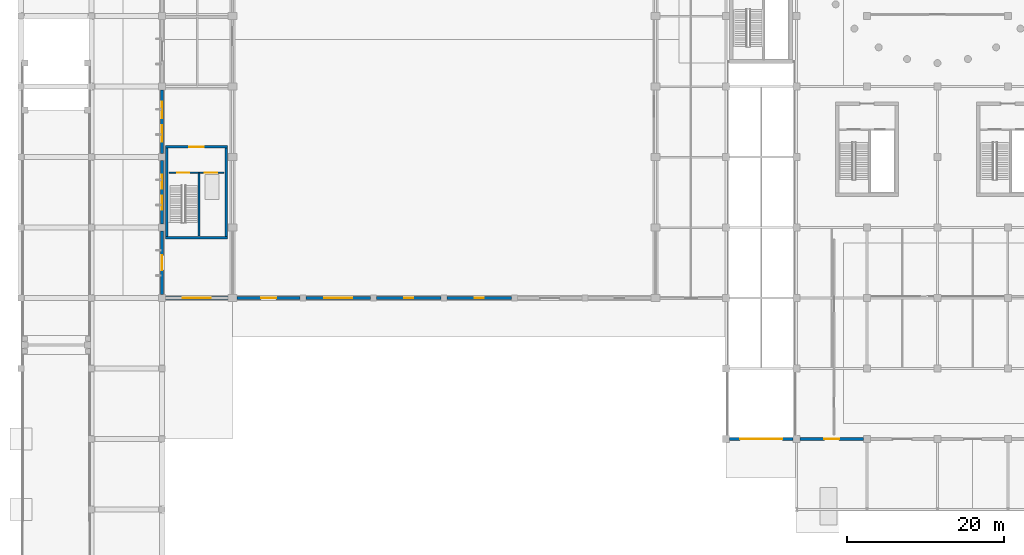
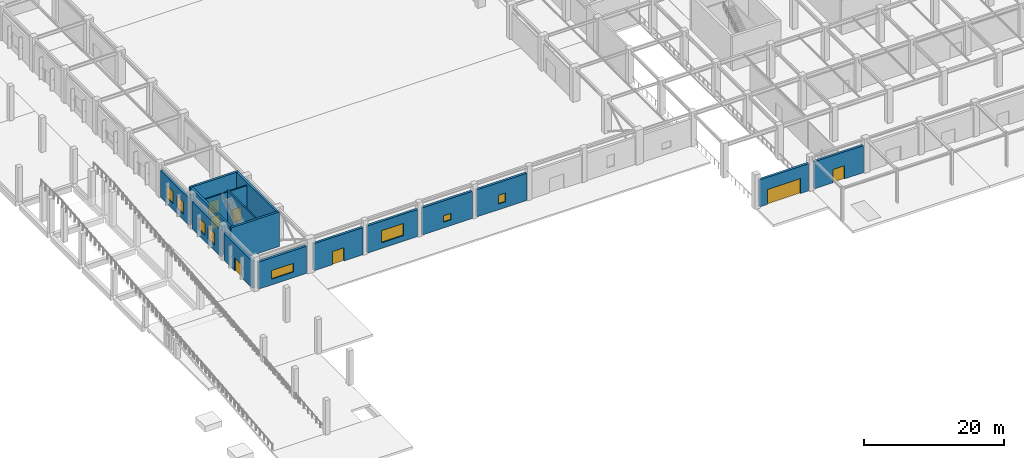
# One storey, part 60 of 91: 16 walls, 8 windows, 7 doors, 15 openings.
"""IFC4 building model written with IfcOpenShell, lengths in metres."""

from ifc_helpers import new_model, si_unit, direction, frame, frame_2d, origin, place, context, subcontext, project, spatial, rectangle, extrude, material, layer, layer_set, type_object, element, fill, save


model = new_model("IFC4")

# Units and contexts
model_context = context("Model", 3, precision=1e-05, world=origin(), true_north=direction((0.0, 1.0)))
body_context = subcontext(model_context, "Body", "Model", "MODEL_VIEW")
ifc_project = project(units=[si_unit("LENGTHUNIT", "METRE"), si_unit("AREAUNIT", "SQUARE_METRE"), si_unit("VOLUMEUNIT", "CUBIC_METRE"), si_unit("PLANEANGLEUNIT", "RADIAN"), si_unit("MASSUNIT", "GRAM", prefix="KILO")], contexts=[model_context])

# Site, building, storey
site_placement = place(None, origin())
site = spatial("IfcSite", under=ifc_project, at=site_placement, CompositionType="ELEMENT")
building_placement = place(site_placement, origin())
building = spatial("IfcBuilding", under=site, at=building_placement, Name="Dornveld Trade and Exhibition Forum", CompositionType="ELEMENT")
storey_placement = place(building_placement, origin())
storey = spatial("IfcBuildingStorey", under=building, at=storey_placement, Name="L00", CompositionType="ELEMENT", Elevation=0.0)

# Wall
ifc_material_1 = material(Name="Concrete C40/50", Category="concrete")
ifc_layer_1 = layer(ifc_material_1, 0.35009765625)
ifc_layer_set_1 = layer_set([ifc_layer_1], Name="Concrete C40/50")
wall_type_1 = type_object("IfcWallType", Name="WL-CORE-350", PredefinedType="SHEAR", material=ifc_layer_set_1)
wall_1_placement = place(storey_placement, frame((18.425048828125, 43.699951171875, 0.0), z_axis=(0.0, 0.0, 1.0), x_axis=(1.0, 0.0, 0.0)))
element("IfcWall", 1, at=wall_1_placement, inside=storey, type_object=wall_type_1, Name="CORE-09 L00 shear wall S", PredefinedType="SHEAR", context=body_context, shape_type="SweptSolid", body=[
    extrude(rectangle(XDim=7.949951171875, YDim=0.35009765625, at=frame_2d((3.97509765625, 0.0))), origin(), (0.0, 0.0, 1.0), 6.0),
])

# Wall, opening, door
wall_2_placement = place(storey_placement, frame((18.425048828125, 55.300048828125, 0.0), z_axis=(0.0, 0.0, 1.0), x_axis=(1.0, 0.0, 0.0)))
wall_2 = element("IfcWall", 2, at=wall_2_placement, inside=storey, type_object=wall_type_1, Name="CORE-09 L00 shear wall N", PredefinedType="SHEAR", context=body_context, shape_type="SweptSolid", body=[
    extrude(rectangle(XDim=7.949951171875, YDim=0.35009765625, at=frame_2d((3.97509765625, 0.0))), origin(), (0.0, 0.0, 1.0), 6.0),
])
opening_1_placement = place(wall_2_placement, frame((3.074951171875, 0.0, 0.0)))
opening_1 = element("IfcOpeningElement", 3, at=opening_1_placement, cuts=wall_2, Name="Opening CD-09-L00", PredefinedType="OPENING", context=body_context, shape_type="SweptSolid", body=[
    extrude(rectangle(XDim=1.800048828125, YDim=2.300048828125, at=frame_2d((0.89990234375, 1.14990234375))), frame((0.0, 0.18505859375, 0.0), z_axis=(0.0, -1.0, 0.0), x_axis=(1.0, 0.0, 0.0)), (0.0, 0.0, 1.0), 0.3701171875),
])
ifc_material_2 = material(Name="Steel fire-rated double door assembly", Category="steel")
door_type_1 = type_object("IfcDoorType", Name="DR-CORE-180x230", OperationType="NOTDEFINED", PredefinedType="DOOR", material=ifc_material_2)
door_1_placement = place(opening_1_placement, origin())
door_1 = element("IfcDoor", 4, at=door_1_placement, inside=storey, type_object=door_type_1, Name="CORE-09 L00 core lobby double fire door", OperationType="DOUBLE_DOOR_SINGLE_SWING", OverallHeight=2.300048828125, OverallWidth=1.800048828125, PredefinedType="DOOR", context=body_context, shape_type="SweptSolid", body=[
    extrude(rectangle(XDim=1.800048828125, YDim=2.300048828125, at=frame_2d((0.89990234375, 1.14990234375))), frame((0.0, 0.02490234375, 0.0), z_axis=(0.0, -1.0, 0.0), x_axis=(1.0, 0.0, 0.0)), (0.0, 0.0, 1.0), 0.050048828125),
])
fill(opening_1, door_1)

# Walls
for number, where, z_axis, x_axis, name in (
    (5, (18.60009765625, 43.875, 0.0), (0.0, 0.0, 1.0), (0.0, 1.0, 0.0), "CORE-09 L00 shear wall W"),
    (6, (26.199951171875, 43.875, 0.0), (0.0, 0.0, 1.0), (0.0, 1.0, 0.0), "CORE-09 L00 shear wall E"),
):
    element("IfcWall", number, at=place(storey_placement, frame(where, z_axis=z_axis, x_axis=x_axis)), inside=storey, type_object=wall_type_1, Name=name, PredefinedType="SHEAR", context=body_context, shape_type="SweptSolid", body=[
        extrude(rectangle(XDim=11.25, YDim=0.35009765625, at=frame_2d((5.625, 0.0))), origin(), (0.0, 0.0, 1.0), 6.0),
    ])

# Wall, opening, door
ifc_material_3 = material(Name="Precast concrete C50/60", Category="concrete")
ifc_layer_2 = layer(ifc_material_3, 0.3798828125)
ifc_layer_set_2 = layer_set([ifc_layer_2], Name="Precast concrete C50/60")
wall_type_2 = type_object("IfcWallType", Name="WL-EXT-PC380", PredefinedType="SOLIDWALL", material=ifc_layer_set_2)
wall_3_placement = place(storey_placement, frame((99.449462890625, 18.0, 0.0), z_axis=(0.0, 0.0, 1.0), x_axis=(1.0, 0.0, 0.0)))
wall_3 = element("IfcWall", 7, at=wall_3_placement, inside=storey, type_object=wall_type_2, Name="L00 precast facade wall 20", PredefinedType="SOLIDWALL", context=body_context, shape_type="SweptSolid", body=[
    extrude(rectangle(XDim=8.10107421875, YDim=0.3798828125, at=frame_2d((4.050537109375, 0.0))), origin(), (0.0, 0.0, 1.0), 4.719970703125),
])
opening_2_placement = place(wall_3_placement, frame((3.1005859375, 0.0, 0.0)))
opening_2 = element("IfcOpeningElement", 8, at=opening_2_placement, cuts=wall_3, Name="Opening ED-08", PredefinedType="OPENING", context=body_context, shape_type="SweptSolid", body=[
    extrude(rectangle(XDim=1.89990234375, YDim=2.300048828125, at=frame_2d((0.949951171875, 1.14990234375))), frame((0.0, 0.199951171875, 0.0), z_axis=(0.0, -1.0, 0.0), x_axis=(1.0, 0.0, 0.0)), (0.0, 0.0, 1.0), 0.39990234375),
])
ifc_material_4 = material(Name="Dark-bronze anodised aluminium and laminated safety glass", Category="aluminium")
door_type_2 = type_object("IfcDoorType", Name="DR-EXT-190x230", OperationType="NOTDEFINED", PredefinedType="DOOR", material=ifc_material_4)
door_2_placement = place(opening_2_placement, frame((1.89990234375, 0.0, 0.0), z_axis=(0.0, 0.0, 1.0), x_axis=(-1.0, 0.0, 0.0)))
door_2 = element("IfcDoor", 9, at=door_2_placement, inside=storey, type_object=door_type_2, Name="Ground final exit double door 8", OperationType="DOUBLE_DOOR_SINGLE_SWING", OverallHeight=2.300048828125, OverallWidth=1.89990234375, PredefinedType="DOOR", context=body_context, shape_type="SweptSolid", body=[
    extrude(rectangle(XDim=1.89990234375, YDim=2.300048828125, at=frame_2d((0.949951171875, 1.14990234375))), frame((0.0, 0.02490234375, 0.0), z_axis=(0.0, -1.0, 0.0), x_axis=(1.0, 0.0, 0.0)), (0.0, 0.0, 1.0), 0.050048828125),
])
fill(opening_2, door_2)

wall_4_placement = place(storey_placement, frame((90.449462890625, 18.0, 0.0), z_axis=(0.0, 0.0, 1.0), x_axis=(1.0, 0.0, 0.0)))
wall_4 = element("IfcWall", 10, at=wall_4_placement, inside=storey, type_object=wall_type_2, Name="L00 precast facade wall 25", PredefinedType="SOLIDWALL", context=body_context, shape_type="SweptSolid", body=[
    extrude(rectangle(XDim=8.10107421875, YDim=0.3798828125, at=frame_2d((4.050537109375, 0.0))), origin(), (0.0, 0.0, 1.0), 4.719970703125),
])
opening_3_placement = place(wall_4_placement, frame((1.3505859375, 0.0, 0.0)))
opening_3 = element("IfcOpeningElement", 11, at=opening_3_placement, cuts=wall_4, Name="Opening VG-02", PredefinedType="OPENING", context=body_context, shape_type="SweptSolid", body=[
    extrude(rectangle(XDim=5.39990234375, YDim=2.60009765625, at=frame_2d((2.699951171875, 1.300048828125))), frame((0.0, 0.199951171875, 0.0), z_axis=(0.0, -1.0, 0.0), x_axis=(1.0, 0.0, 0.0)), (0.0, 0.0, 1.0), 0.39990234375),
])
ifc_material_5 = material(Name="Galvanised insulated steel", Category="steel")
door_type_3 = type_object("IfcDoorType", Name="DR-GATE-540x260", OperationType="NOTDEFINED", PredefinedType="GATE", material=ifc_material_5)
door_3_placement = place(opening_3_placement, frame((5.39990234375, 0.0, 0.0), z_axis=(0.0, 0.0, 1.0), x_axis=(-1.0, 0.0, 0.0)))
door_3 = element("IfcDoor", 12, at=door_3_placement, inside=storey, type_object=door_type_3, Name="Heavy vehicle roller-shutter gate VG-02", OperationType="ROLLINGUP", OverallHeight=2.60009765625, OverallWidth=5.39990234375, PredefinedType="GATE", context=body_context, shape_type="SweptSolid", body=[
    extrude(rectangle(XDim=5.39990234375, YDim=2.60009765625, at=frame_2d((2.699951171875, 1.300048828125))), frame((0.0, 0.02490234375, 0.0), z_axis=(0.0, -1.0, 0.0), x_axis=(1.0, 0.0, 0.0)), (0.0, 0.0, 1.0), 0.050048828125),
])
fill(opening_3, door_3)

wall_5_placement = place(storey_placement, frame((18.0, 44.550537109375, 0.0), z_axis=(0.0, 0.0, 1.0), x_axis=(0.0, -1.0, 0.0)))
wall_5 = element("IfcWall", 13, at=wall_5_placement, inside=storey, type_object=wall_type_2, Name="L00 precast facade wall 36", PredefinedType="SOLIDWALL", context=body_context, shape_type="SweptSolid", body=[
    extrude(rectangle(XDim=8.10107421875, YDim=0.3798828125, at=frame_2d((4.050537109375, 0.0))), origin(), (0.0, 0.0, 1.0), 4.719970703125),
])
opening_4_placement = place(wall_5_placement, frame((3.1005859375, 0.0, 0.0)))
opening_4 = element("IfcOpeningElement", 14, at=opening_4_placement, cuts=wall_5, Name="Opening ED-16", PredefinedType="OPENING", context=body_context, shape_type="SweptSolid", body=[
    extrude(rectangle(XDim=1.89990234375, YDim=2.300048828125, at=frame_2d((0.949951171875, 1.14990234375))), frame((0.0, 0.199951171875, 0.0), z_axis=(0.0, -1.0, 0.0), x_axis=(1.0, 0.0, 0.0)), (0.0, 0.0, 1.0), 0.39990234375),
])
door_4_placement = place(opening_4_placement, frame((1.89990234375, 0.0, 0.0), z_axis=(0.0, 0.0, 1.0), x_axis=(-1.0, 0.0, 0.0)))
door_4 = element("IfcDoor", 15, at=door_4_placement, inside=storey, type_object=door_type_2, Name="Ground final exit double door 16", OperationType="DOUBLE_DOOR_SINGLE_SWING", OverallHeight=2.300048828125, OverallWidth=1.89990234375, PredefinedType="DOOR", context=body_context, shape_type="SweptSolid", body=[
    extrude(rectangle(XDim=1.89990234375, YDim=2.300048828125, at=frame_2d((0.949951171875, 1.14990234375))), frame((0.0, 0.02490234375, 0.0), z_axis=(0.0, -1.0, 0.0), x_axis=(1.0, 0.0, 0.0)), (0.0, 0.0, 1.0), 0.050048828125),
])
fill(opening_4, door_4)

# Wall, openings, windows
wall_6_placement = place(storey_placement, frame((18.0, 53.550537109375, 0.0), z_axis=(0.0, 0.0, 1.0), x_axis=(0.0, -1.0, 0.0)))
wall_6 = element("IfcWall", 16, at=wall_6_placement, inside=storey, type_object=wall_type_2, Name="L00 precast facade wall 40", PredefinedType="SOLIDWALL", context=body_context, shape_type="SweptSolid", body=[
    extrude(rectangle(XDim=8.10107421875, YDim=0.3798828125, at=frame_2d((4.050537109375, 0.0))), origin(), (0.0, 0.0, 1.0), 4.719970703125),
])
opening_5_placement = place(wall_6_placement, frame((1.800537109375, 0.0, 1.0)))
opening_5 = element("IfcOpeningElement", 17, at=opening_5_placement, cuts=wall_6, Name="Opening W-20", PredefinedType="OPENING", context=body_context, shape_type="SweptSolid", body=[
    extrude(rectangle(XDim=1.800048828125, YDim=2.10009765625, at=frame_2d((0.89990234375, 1.050048828125))), frame((0.0, 0.199951171875, 0.0), z_axis=(0.0, -1.0, 0.0), x_axis=(1.0, 0.0, 0.0)), (0.0, 0.0, 1.0), 0.39990234375),
])
opening_6_placement = place(wall_6_placement, frame((4.50048828125, 0.0, 1.0)))
opening_6 = element("IfcOpeningElement", 18, at=opening_6_placement, cuts=wall_6, Name="Opening W-20", PredefinedType="OPENING", context=body_context, shape_type="SweptSolid", body=[
    extrude(rectangle(XDim=1.800048828125, YDim=2.10009765625, at=frame_2d((0.89990234375, 1.050048828125))), frame((0.0, 0.199951171875, 0.0), z_axis=(0.0, -1.0, 0.0), x_axis=(1.0, 0.0, 0.0)), (0.0, 0.0, 1.0), 0.39990234375),
])
ifc_material_6 = material(Name="Dark-bronze anodised aluminium and low-E glass", Category="aluminium")
window_type_1 = type_object("IfcWindowType", Name="WIN-AL-20", PartitioningType="SINGLE_PANEL", PredefinedType="WINDOW", material=ifc_material_6)
window_1_placement = place(opening_5_placement, origin())
window_1 = element("IfcWindow", 19, at=window_1_placement, inside=storey, type_object=window_type_1, Name="L00 facade window 20", OverallHeight=2.10009765625, OverallWidth=1.800048828125, PartitioningType="SINGLE_PANEL", PredefinedType="WINDOW", context=body_context, shape_type="SweptSolid", body=[
    extrude(rectangle(XDim=1.800048828125, YDim=2.10009765625, at=frame_2d((0.89990234375, 1.050048828125))), frame((0.0, 0.030029296875, 0.0), z_axis=(0.0, -1.0, 0.0), x_axis=(1.0, 0.0, 0.0)), (0.0, 0.0, 1.0), 0.06005859375),
])
fill(opening_5, window_1)
window_2_placement = place(opening_6_placement, origin())
window_2 = element("IfcWindow", 20, at=window_2_placement, inside=storey, type_object=window_type_1, Name="L00 facade window 21", OverallHeight=2.10009765625, OverallWidth=1.800048828125, PartitioningType="SINGLE_PANEL", PredefinedType="WINDOW", context=body_context, shape_type="SweptSolid", body=[
    extrude(rectangle(XDim=1.800048828125, YDim=2.10009765625, at=frame_2d((0.89990234375, 1.050048828125))), frame((0.0, 0.030029296875, 0.0), z_axis=(0.0, -1.0, 0.0), x_axis=(1.0, 0.0, 0.0)), (0.0, 0.0, 1.0), 0.06005859375),
])
fill(opening_6, window_2)

wall_7_placement = place(storey_placement, frame((18.0, 62.550537109375, 0.0), z_axis=(0.0, 0.0, 1.0), x_axis=(0.0, -1.0, 0.0)))
wall_7 = element("IfcWall", 21, at=wall_7_placement, inside=storey, type_object=wall_type_2, Name="L00 precast facade wall 44", PredefinedType="SOLIDWALL", context=body_context, shape_type="SweptSolid", body=[
    extrude(rectangle(XDim=8.10107421875, YDim=0.3798828125, at=frame_2d((4.050537109375, 0.0))), origin(), (0.0, 0.0, 1.0), 4.719970703125),
])
opening_7_placement = place(wall_7_placement, frame((1.50048828125, 0.0, 1.0)))
opening_7 = element("IfcOpeningElement", 22, at=opening_7_placement, cuts=wall_7, Name="Opening W-27", PredefinedType="OPENING", context=body_context, shape_type="SweptSolid", body=[
    extrude(rectangle(XDim=2.10009765625, YDim=2.10009765625, at=frame_2d((1.050048828125, 1.050048828125))), frame((0.0, 0.199951171875, 0.0), z_axis=(0.0, -1.0, 0.0), x_axis=(1.0, 0.0, 0.0)), (0.0, 0.0, 1.0), 0.39990234375),
])
opening_8_placement = place(wall_7_placement, frame((4.50048828125, 0.0, 1.0)))
opening_8 = element("IfcOpeningElement", 23, at=opening_8_placement, cuts=wall_7, Name="Opening W-27", PredefinedType="OPENING", context=body_context, shape_type="SweptSolid", body=[
    extrude(rectangle(XDim=2.10009765625, YDim=2.10009765625, at=frame_2d((1.050048828125, 1.050048828125))), frame((0.0, 0.199951171875, 0.0), z_axis=(0.0, -1.0, 0.0), x_axis=(1.0, 0.0, 0.0)), (0.0, 0.0, 1.0), 0.39990234375),
])
ifc_material_7 = material(Name="Dark-bronze anodised aluminium and low-E glass", Category="aluminium")
window_type_2 = type_object("IfcWindowType", Name="WIN-AL-27", PartitioningType="DOUBLE_PANEL_VERTICAL", PredefinedType="WINDOW", material=ifc_material_7)
window_3_placement = place(opening_7_placement, origin())
window_3 = element("IfcWindow", 24, at=window_3_placement, inside=storey, type_object=window_type_2, Name="L00 facade window 27", OverallHeight=2.10009765625, OverallWidth=2.10009765625, PartitioningType="SINGLE_PANEL", PredefinedType="WINDOW", context=body_context, shape_type="SweptSolid", body=[
    extrude(rectangle(XDim=2.10009765625, YDim=2.10009765625, at=frame_2d((1.050048828125, 1.050048828125))), frame((0.0, 0.030029296875, 0.0), z_axis=(0.0, -1.0, 0.0), x_axis=(1.0, 0.0, 0.0)), (0.0, 0.0, 1.0), 0.06005859375),
])
fill(opening_7, window_3)
window_4_placement = place(opening_8_placement, origin())
window_4 = element("IfcWindow", 25, at=window_4_placement, inside=storey, type_object=window_type_2, Name="L00 facade window 28", OverallHeight=2.10009765625, OverallWidth=2.10009765625, PartitioningType="SINGLE_PANEL", PredefinedType="WINDOW", context=body_context, shape_type="SweptSolid", body=[
    extrude(rectangle(XDim=2.10009765625, YDim=2.10009765625, at=frame_2d((1.050048828125, 1.050048828125))), frame((0.0, 0.030029296875, 0.0), z_axis=(0.0, -1.0, 0.0), x_axis=(1.0, 0.0, 0.0)), (0.0, 0.0, 1.0), 0.06005859375),
])
fill(opening_8, window_4)

# Wall, opening, window
wall_8_placement = place(storey_placement, frame((18.449462890625, 36.0, 0.0), z_axis=(0.0, 0.0, 1.0), x_axis=(1.0, 0.0, 0.0)))
wall_8 = element("IfcWall", 26, at=wall_8_placement, inside=storey, type_object=wall_type_2, Name="L00 precast facade wall 80", PredefinedType="SOLIDWALL", context=body_context, shape_type="SweptSolid", body=[
    extrude(rectangle(XDim=7.950927734375, YDim=0.3798828125, at=frame_2d((3.9755859375, 0.0))), origin(), (0.0, 0.0, 1.0), 4.719970703125),
])
opening_9_placement = place(wall_8_placement, frame((2.175537109375, 0.0, 1.0)))
opening_9 = element("IfcOpeningElement", 27, at=opening_9_placement, cuts=wall_8, Name="Opening W-59", PredefinedType="OPENING", context=body_context, shape_type="SweptSolid", body=[
    extrude(rectangle(XDim=3.60009765625, YDim=1.5, at=frame_2d((1.800048828125, 0.75))), frame((0.0, 0.199951171875, 0.0), z_axis=(0.0, -1.0, 0.0), x_axis=(1.0, 0.0, 0.0)), (0.0, 0.0, 1.0), 0.39990234375),
])
ifc_material_8 = material(Name="Dark-bronze anodised aluminium and low-E glass", Category="aluminium")
window_type_3 = type_object("IfcWindowType", Name="WIN-AL-59", PartitioningType="DOUBLE_PANEL_VERTICAL", PredefinedType="WINDOW", material=ifc_material_8)
window_5_placement = place(opening_9_placement, origin())
window_5 = element("IfcWindow", 28, at=window_5_placement, inside=storey, type_object=window_type_3, Name="L00 facade window 59", OverallHeight=1.5, OverallWidth=3.60009765625, PartitioningType="SINGLE_PANEL", PredefinedType="WINDOW", context=body_context, shape_type="SweptSolid", body=[
    extrude(rectangle(XDim=3.60009765625, YDim=1.5, at=frame_2d((1.800048828125, 0.75))), frame((0.0, 0.030029296875, 0.0), z_axis=(0.0, -1.0, 0.0), x_axis=(1.0, 0.0, 0.0)), (0.0, 0.0, 1.0), 0.06005859375),
])
fill(opening_9, window_5)

# Wall, opening, door
wall_9_placement = place(storey_placement, frame((27.599609375, 36.0, 0.0), z_axis=(0.0, 0.0, 1.0), x_axis=(1.0, 0.0, 0.0)))
wall_9 = element("IfcWall", 29, at=wall_9_placement, inside=storey, type_object=wall_type_2, Name="L00 precast facade wall 82", PredefinedType="SOLIDWALL", context=body_context, shape_type="SweptSolid", body=[
    extrude(rectangle(XDim=8.02587890625, YDim=0.3798828125, at=frame_2d((4.012939453125, 0.0))), origin(), (0.0, 0.0, 1.0), 4.719970703125),
])
opening_10_placement = place(wall_9_placement, frame((3.06298828125, 0.0, 0.0)))
opening_10 = element("IfcOpeningElement", 30, at=opening_10_placement, cuts=wall_9, Name="Opening ED-20", PredefinedType="OPENING", context=body_context, shape_type="SweptSolid", body=[
    extrude(rectangle(XDim=1.89990234375, YDim=2.300048828125, at=frame_2d((0.949951171875, 1.14990234375))), frame((0.0, 0.199951171875, 0.0), z_axis=(0.0, -1.0, 0.0), x_axis=(1.0, 0.0, 0.0)), (0.0, 0.0, 1.0), 0.39990234375),
])
door_5_placement = place(opening_10_placement, frame((1.89990234375, 0.0, 0.0), z_axis=(0.0, 0.0, 1.0), x_axis=(-1.0, 0.0, 0.0)))
door_5 = element("IfcDoor", 31, at=door_5_placement, inside=storey, type_object=door_type_2, Name="Ground final exit double door 20", OperationType="DOUBLE_DOOR_SINGLE_SWING", OverallHeight=2.300048828125, OverallWidth=1.89990234375, PredefinedType="DOOR", context=body_context, shape_type="SweptSolid", body=[
    extrude(rectangle(XDim=1.89990234375, YDim=2.300048828125, at=frame_2d((0.949951171875, 1.14990234375))), frame((0.0, 0.02490234375, 0.0), z_axis=(0.0, -1.0, 0.0), x_axis=(1.0, 0.0, 0.0)), (0.0, 0.0, 1.0), 0.050048828125),
])
fill(opening_10, door_5)

# Wall, opening, window
wall_10_placement = place(storey_placement, frame((36.37451171875, 36.0, 0.0), z_axis=(0.0, 0.0, 1.0), x_axis=(1.0, 0.0, 0.0)))
wall_10 = element("IfcWall", 32, at=wall_10_placement, inside=storey, type_object=wall_type_2, Name="L00 precast facade wall 84", PredefinedType="SOLIDWALL", context=body_context, shape_type="SweptSolid", body=[
    extrude(rectangle(XDim=8.2509765625, YDim=0.3798828125, at=frame_2d((4.12548828125, 0.0))), origin(), (0.0, 0.0, 1.0), 4.719970703125),
])
opening_11_placement = place(wall_10_placement, frame((2.325439453125, 0.0, 1.0)))
opening_11 = element("IfcOpeningElement", 33, at=opening_11_placement, cuts=wall_10, Name="Opening W-62", PredefinedType="OPENING", context=body_context, shape_type="SweptSolid", body=[
    extrude(rectangle(XDim=3.60009765625, YDim=2.10009765625, at=frame_2d((1.800048828125, 1.050048828125))), frame((0.0, 0.199951171875, 0.0), z_axis=(0.0, -1.0, 0.0), x_axis=(1.0, 0.0, 0.0)), (0.0, 0.0, 1.0), 0.39990234375),
])
ifc_material_9 = material(Name="Dark-bronze anodised aluminium and low-E glass", Category="aluminium")
window_type_4 = type_object("IfcWindowType", Name="WIN-AL-62", PartitioningType="DOUBLE_PANEL_VERTICAL", PredefinedType="WINDOW", material=ifc_material_9)
window_6_placement = place(opening_11_placement, origin())
window_6 = element("IfcWindow", 34, at=window_6_placement, inside=storey, type_object=window_type_4, Name="L00 facade window 62", OverallHeight=2.10009765625, OverallWidth=3.60009765625, PartitioningType="SINGLE_PANEL", PredefinedType="WINDOW", context=body_context, shape_type="SweptSolid", body=[
    extrude(rectangle(XDim=3.60009765625, YDim=2.10009765625, at=frame_2d((1.800048828125, 1.050048828125))), frame((0.0, 0.030029296875, 0.0), z_axis=(0.0, -1.0, 0.0), x_axis=(1.0, 0.0, 0.0)), (0.0, 0.0, 1.0), 0.06005859375),
])
fill(opening_11, window_6)

wall_11_placement = place(storey_placement, frame((45.37451171875, 36.0, 0.0), z_axis=(0.0, 0.0, 1.0), x_axis=(1.0, 0.0, 0.0)))
wall_11 = element("IfcWall", 35, at=wall_11_placement, inside=storey, type_object=wall_type_2, Name="L00 precast facade wall 86", PredefinedType="SOLIDWALL", context=body_context, shape_type="SweptSolid", body=[
    extrude(rectangle(XDim=8.2509765625, YDim=0.3798828125, at=frame_2d((4.12548828125, 0.0))), origin(), (0.0, 0.0, 1.0), 4.719970703125),
])
opening_12_placement = place(wall_11_placement, frame((3.525390625, 0.0, 1.0)))
opening_12 = element("IfcOpeningElement", 36, at=opening_12_placement, cuts=wall_11, Name="Opening W-01", PredefinedType="OPENING", context=body_context, shape_type="SweptSolid", body=[
    extrude(rectangle(XDim=1.199951171875, YDim=1.10009765625, at=frame_2d((0.60009765625, 0.550048828125))), frame((0.0, 0.199951171875, 0.0), z_axis=(0.0, -1.0, 0.0), x_axis=(1.0, 0.0, 0.0)), (0.0, 0.0, 1.0), 0.39990234375),
])
ifc_material_10 = material(Name="Dark-bronze anodised aluminium and low-E glass", Category="aluminium")
window_type_5 = type_object("IfcWindowType", Name="WIN-AL-01", PartitioningType="SINGLE_PANEL", PredefinedType="WINDOW", material=ifc_material_10)
window_7_placement = place(opening_12_placement, origin())
window_7 = element("IfcWindow", 37, at=window_7_placement, inside=storey, type_object=window_type_5, Name="L00 facade window 64", OverallHeight=1.10009765625, OverallWidth=1.199951171875, PartitioningType="SINGLE_PANEL", PredefinedType="WINDOW", context=body_context, shape_type="SweptSolid", body=[
    extrude(rectangle(XDim=1.199951171875, YDim=1.10009765625, at=frame_2d((0.60009765625, 0.550048828125))), frame((0.0, 0.030029296875, 0.0), z_axis=(0.0, -1.0, 0.0), x_axis=(1.0, 0.0, 0.0)), (0.0, 0.0, 1.0), 0.06005859375),
])
fill(opening_12, window_7)

wall_12_placement = place(storey_placement, frame((54.37451171875, 36.0, 0.0), z_axis=(0.0, 0.0, 1.0), x_axis=(1.0, 0.0, 0.0)))
wall_12 = element("IfcWall", 38, at=wall_12_placement, inside=storey, type_object=wall_type_2, Name="L00 precast facade wall 88", PredefinedType="SOLIDWALL", context=body_context, shape_type="SweptSolid", body=[
    extrude(rectangle(XDim=8.2509765625, YDim=0.3798828125, at=frame_2d((4.12548828125, 0.0))), origin(), (0.0, 0.0, 1.0), 4.719970703125),
])
opening_13_placement = place(wall_12_placement, frame((3.525390625, 0.0, 1.0)))
opening_13 = element("IfcOpeningElement", 39, at=opening_13_placement, cuts=wall_12, Name="Opening W-03", PredefinedType="OPENING", context=body_context, shape_type="SweptSolid", body=[
    extrude(rectangle(XDim=1.199951171875, YDim=1.5, at=frame_2d((0.60009765625, 0.75))), frame((0.0, 0.199951171875, 0.0), z_axis=(0.0, -1.0, 0.0), x_axis=(1.0, 0.0, 0.0)), (0.0, 0.0, 1.0), 0.39990234375),
])
ifc_material_11 = material(Name="Dark-bronze anodised aluminium and low-E glass", Category="aluminium")
window_type_6 = type_object("IfcWindowType", Name="WIN-AL-03", PartitioningType="SINGLE_PANEL", PredefinedType="WINDOW", material=ifc_material_11)
window_8_placement = place(opening_13_placement, origin())
window_8 = element("IfcWindow", 40, at=window_8_placement, inside=storey, type_object=window_type_6, Name="L00 facade window 66", OverallHeight=1.5, OverallWidth=1.199951171875, PartitioningType="SINGLE_PANEL", PredefinedType="WINDOW", context=body_context, shape_type="SweptSolid", body=[
    extrude(rectangle(XDim=1.199951171875, YDim=1.5, at=frame_2d((0.60009765625, 0.75))), frame((0.0, 0.030029296875, 0.0), z_axis=(0.0, -1.0, 0.0), x_axis=(1.0, 0.0, 0.0)), (0.0, 0.0, 1.0), 0.06005859375),
])
fill(opening_13, window_8)

# Wall, openings, doors
ifc_material_12 = material(Name="Concrete C40/50", Category="concrete")
ifc_layer_3 = layer(ifc_material_12, 0.219970703125)
ifc_layer_set_3 = layer_set([ifc_layer_3], Name="Concrete C40/50")
wall_type_3 = type_object("IfcWallType", Name="WL-INT-LOB220", PredefinedType="SOLIDWALL", material=ifc_layer_set_3)
wall_13_placement = place(storey_placement, frame((18.89990234375, 52.0, 0.0), z_axis=(0.0, 0.0, 1.0), x_axis=(1.0, 0.0, 0.0)))
wall_13 = element("IfcWall", 41, at=wall_13_placement, inside=storey, type_object=wall_type_3, Name="CORE-09 L00 protected lobby bulkhead wall", PredefinedType="SOLIDWALL", context=body_context, shape_type="SweptSolid", body=[
    extrude(rectangle(XDim=7.0, YDim=0.219970703125, at=frame_2d((3.5, 0.0))), origin(), (0.0, 0.0, 1.0), 5.679931640625),
])
opening_14_placement = place(wall_13_placement, frame((1.050048828125, 0.0, 0.0)))
opening_14 = element("IfcOpeningElement", 42, at=opening_14_placement, cuts=wall_13, Name="Opening SD-09-L00", PredefinedType="OPENING", context=body_context, shape_type="SweptSolid", body=[
    extrude(rectangle(XDim=1.550048828125, YDim=2.199951171875, at=frame_2d((0.77490234375, 1.10009765625))), frame((0.0, 0.119873046875, 0.0), z_axis=(0.0, -1.0, 0.0), x_axis=(1.0, 0.0, 0.0)), (0.0, 0.0, 1.0), 0.239990234375),
])
opening_15_placement = place(wall_13_placement, frame((4.550048828125, 0.0, 0.0)))
opening_15 = element("IfcOpeningElement", 43, at=opening_15_placement, cuts=wall_13, Name="Opening LD-09-L00", PredefinedType="OPENING", context=body_context, shape_type="SweptSolid", body=[
    extrude(rectangle(XDim=1.60009765625, YDim=2.300048828125, at=frame_2d((0.800048828125, 1.14990234375))), frame((0.0, 0.119873046875, 0.0), z_axis=(0.0, -1.0, 0.0), x_axis=(1.0, 0.0, 0.0)), (0.0, 0.0, 1.0), 0.239990234375),
])
ifc_material_13 = material(Name="Heavy-duty steel sliding freight lift landing door", Category="steel")
door_type_4 = type_object("IfcDoorType", Name="DR-LIFT-160x230", OperationType="NOTDEFINED", PredefinedType="DOOR", material=ifc_material_13)
door_6_placement = place(opening_15_placement, origin())
door_6 = element("IfcDoor", 44, at=door_6_placement, inside=storey, type_object=door_type_4, Name="CORE-09 L00 lift sliding landing door", OperationType="SLIDING_TO_LEFT", OverallHeight=2.300048828125, OverallWidth=1.60009765625, PredefinedType="DOOR", context=body_context, shape_type="SweptSolid", body=[
    extrude(rectangle(XDim=1.60009765625, YDim=2.300048828125, at=frame_2d((0.800048828125, 1.14990234375))), frame((0.0, 0.02490234375, 0.0), z_axis=(0.0, -1.0, 0.0), x_axis=(1.0, 0.0, 0.0)), (0.0, 0.0, 1.0), 0.050048828125),
])
fill(opening_15, door_6)
ifc_material_14 = material(Name="Steel fire-rated stair door assembly", Category="steel")
door_type_5 = type_object("IfcDoorType", Name="DR-STAIR-155x220", OperationType="NOTDEFINED", PredefinedType="DOOR", material=ifc_material_14)
door_7_placement = place(opening_14_placement, origin())
door_7 = element("IfcDoor", 45, at=door_7_placement, inside=storey, type_object=door_type_5, Name="CORE-09 L00 protected stair door", OperationType="SINGLE_SWING_LEFT", OverallHeight=2.199951171875, OverallWidth=1.550048828125, PredefinedType="DOOR", context=body_context, shape_type="SweptSolid", body=[
    extrude(rectangle(XDim=1.550048828125, YDim=2.199951171875, at=frame_2d((0.77490234375, 1.10009765625))), frame((0.0, 0.02490234375, 0.0), z_axis=(0.0, -1.0, 0.0), x_axis=(1.0, 0.0, 0.0)), (0.0, 0.0, 1.0), 0.050048828125),
])
fill(opening_14, door_7)

# Wall
ifc_material_15 = material(Name="Concrete C40/50", Category="concrete")
ifc_layer_4 = layer(ifc_material_15, 0.199951171875)
ifc_layer_set_4 = layer_set([ifc_layer_4], Name="Concrete C40/50")
wall_type_4 = type_object("IfcWallType", Name="WL-INT-SHAFT200", PredefinedType="SOLIDWALL", material=ifc_layer_set_4)
wall_14_placement = place(storey_placement, frame((22.719970703125, 43.949951171875, 0.0), z_axis=(0.0, 0.0, 1.0), x_axis=(0.0, 1.0, 0.0)))
element("IfcWall", 46, at=wall_14_placement, inside=storey, type_object=wall_type_4, Name="CORE-09 L00 lift-stair structural shaft wall", PredefinedType="SOLIDWALL", context=body_context, shape_type="SweptSolid", body=[
    extrude(rectangle(XDim=8.0, YDim=0.199951171875, at=frame_2d((4.0, 0.0))), origin(), (0.0, 0.0, 1.0), 6.0),
])

save(model, "model.ifc")
